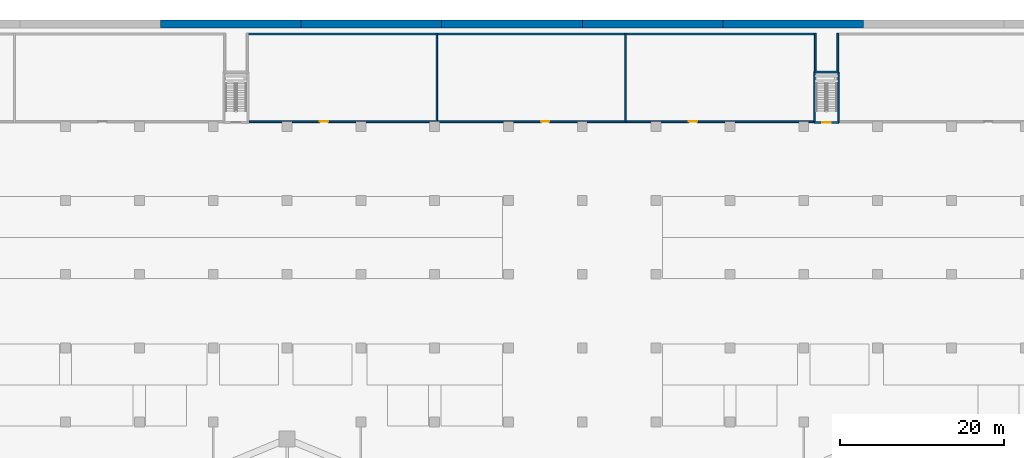
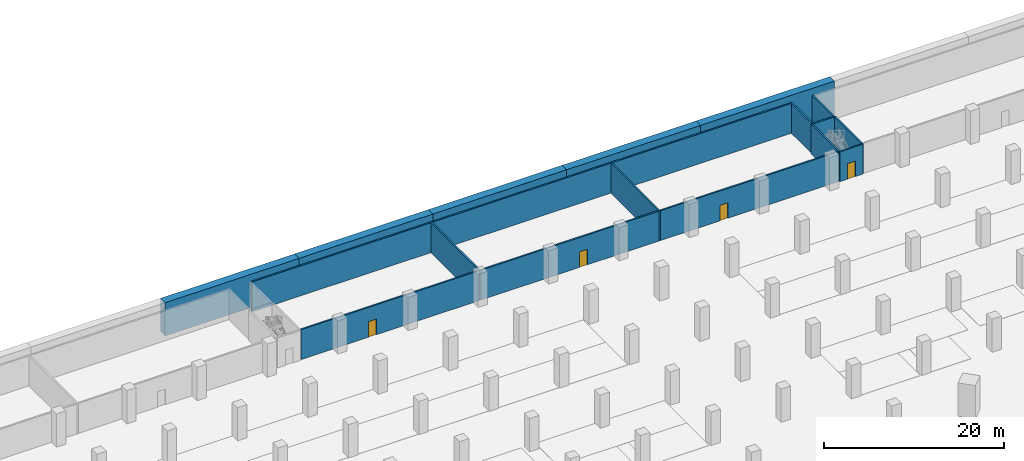
# One storey, part 17 of 34: 19 walls, 4 doors, 4 openings.
"""IFC4 building model written with IfcOpenShell, lengths in metres."""

from ifc_helpers import new_model, si_unit, direction, frame, frame_2d, origin, place, context, subcontext, project, spatial, rectangle, extrude, material, layer, layer_set, type_object, element, fill, save


model = new_model("IFC4")

# Units and contexts
model_context = context("Model", 3, precision=1e-05, world=origin(), true_north=direction((0.0, 1.0)))
body_context = subcontext(model_context, "Body", "Model", "MODEL_VIEW")
ifc_project = project(units=[si_unit("LENGTHUNIT", "METRE"), si_unit("AREAUNIT", "SQUARE_METRE"), si_unit("VOLUMEUNIT", "CUBIC_METRE"), si_unit("PLANEANGLEUNIT", "RADIAN"), si_unit("MASSUNIT", "GRAM", prefix="KILO")], contexts=[model_context])

# Site, building, storey
site_placement = place(None, origin())
site = spatial("IfcSite", under=ifc_project, at=site_placement, CompositionType="ELEMENT")
building_placement = place(site_placement, origin())
building = spatial("IfcBuilding", under=site, at=building_placement, Name="Ogive Gate Towers", CompositionType="ELEMENT")
storey_placement = place(building_placement, frame((0.0, 0.0, -4.5)))
storey = spatial("IfcBuildingStorey", under=building, at=storey_placement, Name="B1", CompositionType="ELEMENT", Elevation=-4.5)

# Wall, opening, door
ifc_material_1 = material(Name="Reinforced concrete C32/40", Category="concrete")
ifc_layer_1 = layer(ifc_material_1, 0.199951171875)
ifc_layer_set_1 = layer_set([ifc_layer_1], Name="Car park stair shaft wall 200")
wall_type_1 = type_object("IfcWallType", Name="Car park stair shaft wall 200", PredefinedType="SOLIDWALL", material=ifc_layer_set_1)
wall_1_placement = place(storey_placement, frame((31.25, 63.5, 0.0), z_axis=(0.0, 0.0, 1.0), x_axis=(-1.0, 0.0, 0.0)))
wall_1 = element("IfcWall", 1, at=wall_1_placement, inside=storey, type_object=wall_type_1, Name="CS3 stair shaft wall B1 1", PredefinedType="SOLIDWALL", context=body_context, shape_type="SweptSolid", body=[
    extrude(rectangle(XDim=2.949951171875, YDim=0.199951171875, at=frame_2d((1.47509765625, 0.0))), origin(), (0.0, 0.0, 1.0), 4.050048828125),
])
opening_1_placement = place(wall_1_placement, frame((0.97509765625, 0.0, 0.0)))
opening_1 = element("IfcOpeningElement", 2, at=opening_1_placement, cuts=wall_1, Name="Opening CPD33-B1", PredefinedType="OPENING", context=body_context, shape_type="SweptSolid", body=[
    extrude(rectangle(XDim=1.0, YDim=2.10009765625, at=frame_2d((0.5, 1.050048828125))), frame((0.0, 0.10986328125, 0.0), z_axis=(0.0, -1.0, 0.0), x_axis=(1.0, 0.0, 0.0)), (0.0, 0.0, 1.0), 0.219970703125),
])
ifc_material_2 = material(Name="Painted steel door", Category="steel")
door_type_1 = type_object("IfcDoorType", Name="Stair house door 1000 x 2100", OperationType="SINGLE_SWING_LEFT", PredefinedType="DOOR", material=ifc_material_2)
door_1_placement = place(opening_1_placement, origin())
door_1 = element("IfcDoor", 3, at=door_1_placement, inside=storey, type_object=door_type_1, Name="Door CS3 stair B1", OperationType="SINGLE_SWING_LEFT", OverallHeight=2.10009765625, OverallWidth=1.0, PredefinedType="DOOR", context=body_context, shape_type="SweptSolid", body=[
    extrude(rectangle(XDim=1.0, YDim=2.10009765625, at=frame_2d((0.5, 1.050048828125))), frame((0.0, 0.02490234375, 0.0), z_axis=(0.0, -1.0, 0.0), x_axis=(1.0, 0.0, 0.0)), (0.0, 0.0, 1.0), 0.050048828125),
])
fill(opening_1, door_1)

# Walls
wall_2_placement = place(storey_placement, frame((28.300048828125, 63.5, 0.0), z_axis=(0.0, 0.0, 1.0), x_axis=(0.0, 1.0, 0.0)))
element("IfcWall", 4, at=wall_2_placement, inside=storey, type_object=wall_type_1, Name="CS3 stair shaft wall B1 2", PredefinedType="SOLIDWALL", context=body_context, shape_type="SweptSolid", body=[
    extrude(rectangle(XDim=6.159912109375, YDim=0.199951171875, at=frame_2d((3.080078125, 0.0))), origin(), (0.0, 0.0, 1.0), 4.050048828125),
])
wall_3_placement = place(storey_placement, frame((28.300048828125, 69.659912109375, 0.0), z_axis=(0.0, 0.0, 1.0), x_axis=(1.0, 0.0, 0.0)))
element("IfcWall", 5, at=wall_3_placement, inside=storey, type_object=wall_type_1, Name="CS3 stair shaft wall B1 3", PredefinedType="SOLIDWALL", context=body_context, shape_type="SweptSolid", body=[
    extrude(rectangle(XDim=2.949951171875, YDim=0.199951171875, at=frame_2d((1.47509765625, 0.0))), origin(), (0.0, 0.0, 1.0), 4.050048828125),
])
wall_4_placement = place(storey_placement, frame((31.25, 69.659912109375, 0.0), z_axis=(0.0, 0.0, 1.0), x_axis=(0.0, -1.0, 0.0)))
element("IfcWall", 6, at=wall_4_placement, inside=storey, type_object=wall_type_1, Name="CS3 stair shaft wall B1 4", PredefinedType="SOLIDWALL", context=body_context, shape_type="SweptSolid", body=[
    extrude(rectangle(XDim=6.159912109375, YDim=0.199951171875, at=frame_2d((3.080078125, 0.0))), origin(), (0.0, 0.0, 1.0), 4.050048828125),
])
ifc_material_3 = material(Name="Blockwork", Category="masonry")
ifc_layer_2 = layer(ifc_material_3, 0.199951171875)
ifc_layer_set_2 = layer_set([ifc_layer_2], Name="Plant room wall 200")
wall_type_2 = type_object("IfcWallType", Name="Plant room wall 200", PredefinedType="PARTITIONING", material=ifc_layer_set_2)
for number, where, z_axis, x_axis, name in (
    (7, (-17.73291015625, 63.5, 0.0), (0.0, 0.0, 1.0), (0.0, 1.0, 0.0), "Plant room wall B1-011"),
    (8, (5.282958984375, 63.5, 0.0), (0.0, 0.0, 1.0), (0.0, 1.0, 0.0), "Plant room wall B1-012"),
):
    element("IfcWall", number, at=place(storey_placement, frame(where, z_axis=z_axis, x_axis=x_axis)), inside=storey, type_object=wall_type_2, Name=name, PredefinedType="PARTITIONING", context=body_context, shape_type="SweptSolid", body=[
        extrude(rectangle(XDim=10.89990234375, YDim=0.199951171875, at=frame_2d((5.449951171875, 0.0))), origin(), (0.0, 0.0, 1.0), 4.050048828125),
    ])
for number, where, z_axis, x_axis, name in (
    (9, (28.39990234375, 69.780029296875, 0.0), (0.0, 0.0, 1.0), (0.0, 1.0, 0.0), "Plant room wall B1-013"),
    (10, (31.14990234375, 69.780029296875, 0.0), (0.0, 0.0, 1.0), (0.0, 1.0, 0.0), "Plant room wall B1-014"),
):
    element("IfcWall", number, at=place(storey_placement, frame(where, z_axis=z_axis, x_axis=x_axis)), inside=storey, type_object=wall_type_2, Name=name, PredefinedType="PARTITIONING", context=body_context, shape_type="SweptSolid", body=[
        extrude(rectangle(XDim=4.619873046875, YDim=0.199951171875, at=frame_2d((2.31005859375, 0.0))), origin(), (0.0, 0.0, 1.0), 4.050048828125),
    ])

# Wall, opening, door
wall_5_placement = place(storey_placement, frame((-40.6298828125, 63.60009765625, 0.0), z_axis=(0.0, 0.0, 1.0), x_axis=(1.0, 0.0, 0.0)))
wall_5 = element("IfcWall", 11, at=wall_5_placement, inside=storey, type_object=wall_type_2, Name="Plant room wall B1-034", PredefinedType="PARTITIONING", context=body_context, shape_type="SweptSolid", body=[
    extrude(rectangle(XDim=22.796875, YDim=0.199951171875, at=frame_2d((11.3984375, 0.0))), origin(), (0.0, 0.0, 1.0), 4.050048828125),
])
opening_2_placement = place(wall_5_placement, frame((8.6298828125, 0.0, 0.0)))
opening_2 = element("IfcOpeningElement", 12, at=opening_2_placement, cuts=wall_5, Name="Opening CPD104", PredefinedType="OPENING", context=body_context, shape_type="SweptSolid", body=[
    extrude(rectangle(XDim=1.0, YDim=2.10009765625, at=frame_2d((0.5, 1.050048828125))), frame((0.0, 0.10986328125, 0.0), z_axis=(0.0, -1.0, 0.0), x_axis=(1.0, 0.0, 0.0)), (0.0, 0.0, 1.0), 0.219970703125),
])
door_type_2 = type_object("IfcDoorType", Name="Fire door 1000 x 2100", OperationType="SINGLE_SWING_LEFT", PredefinedType="DOOR", material=ifc_material_2)
door_2_placement = place(opening_2_placement, origin())
door_2 = element("IfcDoor", 13, at=door_2_placement, inside=storey, type_object=door_type_2, Name="Door CPD104", OperationType="SINGLE_SWING_RIGHT", OverallHeight=2.10009765625, OverallWidth=1.0, PredefinedType="DOOR", context=body_context, shape_type="SweptSolid", body=[
    extrude(rectangle(XDim=1.0, YDim=2.10009765625, at=frame_2d((0.5, 1.050048828125))), frame((0.0, 0.02490234375, 0.0), z_axis=(0.0, -1.0, 0.0), x_axis=(1.0, 0.0, 0.0)), (0.0, 0.0, 1.0), 0.050048828125),
])
fill(opening_2, door_2)

wall_6_placement = place(storey_placement, frame((-17.633056640625, 63.60009765625, 0.0), z_axis=(0.0, 0.0, 1.0), x_axis=(1.0, 0.0, 0.0)))
wall_6 = element("IfcWall", 14, at=wall_6_placement, inside=storey, type_object=wall_type_2, Name="Plant room wall B1-035", PredefinedType="PARTITIONING", context=body_context, shape_type="SweptSolid", body=[
    extrude(rectangle(XDim=22.816162109375, YDim=0.199951171875, at=frame_2d((11.408203125, 0.0))), origin(), (0.0, 0.0, 1.0), 4.050048828125),
])
opening_3_placement = place(wall_6_placement, frame((12.633056640625, 0.0, 0.0)))
opening_3 = element("IfcOpeningElement", 15, at=opening_3_placement, cuts=wall_6, Name="Opening CPD105", PredefinedType="OPENING", context=body_context, shape_type="SweptSolid", body=[
    extrude(rectangle(XDim=1.0, YDim=2.10009765625, at=frame_2d((0.5, 1.050048828125))), frame((0.0, 0.10986328125, 0.0), z_axis=(0.0, -1.0, 0.0), x_axis=(1.0, 0.0, 0.0)), (0.0, 0.0, 1.0), 0.219970703125),
])
door_3_placement = place(opening_3_placement, origin())
door_3 = element("IfcDoor", 16, at=door_3_placement, inside=storey, type_object=door_type_2, Name="Door CPD105", OperationType="SINGLE_SWING_LEFT", OverallHeight=2.10009765625, OverallWidth=1.0, PredefinedType="DOOR", context=body_context, shape_type="SweptSolid", body=[
    extrude(rectangle(XDim=1.0, YDim=2.10009765625, at=frame_2d((0.5, 1.050048828125))), frame((0.0, 0.02490234375, 0.0), z_axis=(0.0, -1.0, 0.0), x_axis=(1.0, 0.0, 0.0)), (0.0, 0.0, 1.0), 0.050048828125),
])
fill(opening_3, door_3)

wall_7_placement = place(storey_placement, frame((5.383056640625, 63.60009765625, 0.0), z_axis=(0.0, 0.0, 1.0), x_axis=(1.0, 0.0, 0.0)))
wall_7 = element("IfcWall", 17, at=wall_7_placement, inside=storey, type_object=wall_type_2, Name="Plant room wall B1-036", PredefinedType="PARTITIONING", context=body_context, shape_type="SweptSolid", body=[
    extrude(rectangle(XDim=22.796875, YDim=0.199951171875, at=frame_2d((11.3984375, 0.0))), origin(), (0.0, 0.0, 1.0), 4.050048828125),
])
opening_4_placement = place(wall_7_placement, frame((7.616943359375, 0.0, 0.0)))
opening_4 = element("IfcOpeningElement", 18, at=opening_4_placement, cuts=wall_7, Name="Opening CPD106", PredefinedType="OPENING", context=body_context, shape_type="SweptSolid", body=[
    extrude(rectangle(XDim=1.0, YDim=2.10009765625, at=frame_2d((0.5, 1.050048828125))), frame((0.0, 0.10986328125, 0.0), z_axis=(0.0, -1.0, 0.0), x_axis=(1.0, 0.0, 0.0)), (0.0, 0.0, 1.0), 0.219970703125),
])
door_4_placement = place(opening_4_placement, origin())
door_4 = element("IfcDoor", 19, at=door_4_placement, inside=storey, type_object=door_type_2, Name="Door CPD106", OperationType="SINGLE_SWING_RIGHT", OverallHeight=2.10009765625, OverallWidth=1.0, PredefinedType="DOOR", context=body_context, shape_type="SweptSolid", body=[
    extrude(rectangle(XDim=1.0, YDim=2.10009765625, at=frame_2d((0.5, 1.050048828125))), frame((0.0, 0.02490234375, 0.0), z_axis=(0.0, -1.0, 0.0), x_axis=(1.0, 0.0, 0.0)), (0.0, 0.0, 1.0), 0.050048828125),
])
fill(opening_4, door_4)

# Walls
wall_8_placement = place(storey_placement, frame((-40.75, 74.300048828125, 0.0), z_axis=(0.0, 0.0, 1.0), x_axis=(1.0, 0.0, 0.0)))
element("IfcWall", 20, at=wall_8_placement, inside=storey, type_object=wall_type_2, Name="Plant room wall B1-043", PredefinedType="PARTITIONING", context=body_context, shape_type="SweptSolid", body=[
    extrude(rectangle(XDim=22.9169921875, YDim=0.199951171875, at=frame_2d((11.45849609375, 0.0))), origin(), (0.0, 0.0, 1.0), 4.050048828125),
])
wall_9_placement = place(storey_placement, frame((-17.633056640625, 74.300048828125, 0.0), z_axis=(0.0, 0.0, 1.0), x_axis=(1.0, 0.0, 0.0)))
element("IfcWall", 21, at=wall_9_placement, inside=storey, type_object=wall_type_2, Name="Plant room wall B1-044", PredefinedType="PARTITIONING", context=body_context, shape_type="SweptSolid", body=[
    extrude(rectangle(XDim=22.816162109375, YDim=0.199951171875, at=frame_2d((11.408203125, 0.0))), origin(), (0.0, 0.0, 1.0), 4.050048828125),
])
wall_10_placement = place(storey_placement, frame((5.383056640625, 74.300048828125, 0.0), z_axis=(0.0, 0.0, 1.0), x_axis=(1.0, 0.0, 0.0)))
element("IfcWall", 22, at=wall_10_placement, inside=storey, type_object=wall_type_2, Name="Plant room wall B1-045", PredefinedType="PARTITIONING", context=body_context, shape_type="SweptSolid", body=[
    extrude(rectangle(XDim=22.9169921875, YDim=0.199951171875, at=frame_2d((11.45849609375, 0.0))), origin(), (0.0, 0.0, 1.0), 4.050048828125),
])
ifc_material_4 = material(Name="Concrete C40/50", Category="concrete")
ifc_layer_3 = layer(ifc_material_4, 1.0)
ifc_layer_set_3 = layer_set([ifc_layer_3], Name="Retaining wall 1000")
wall_type_3 = type_object("IfcWallType", Name="Retaining wall 1000", PredefinedType="SOLIDWALL", material=ifc_layer_set_3)
wall_11_placement = place(storey_placement, frame((-51.41796875, 75.5, 0.0), z_axis=(0.0, 0.0, 1.0), x_axis=(1.0, 0.0, 0.0)))
element("IfcWall", 23, at=wall_11_placement, inside=storey, type_object=wall_type_3, Name="BS/B1/SWL044", PredefinedType="SOLIDWALL", context=body_context, shape_type="SweptSolid", body=[
    extrude(rectangle(XDim=17.13916015625, YDim=1.0, at=frame_2d((8.569580078125, 0.0))), origin(), (0.0, 0.0, 1.0), 4.5),
])
for number, where, z_axis, x_axis, name in (
    (24, (-34.27880859375, 75.5, 0.0), (0.0, 0.0, 1.0), (1.0, 0.0, 0.0), "BS/B1/SWL045"),
    (25, (-17.139404296875, 75.5, 0.0), (0.0, 0.0, 1.0), (1.0, 0.0, 0.0), "BS/B1/SWL046"),
    (26, (0.0, 75.5, 0.0), (0.0, 0.0, 1.0), (1.0, 0.0, 0.0), "BS/B1/SWL047"),
    (27, (17.139404296875, 75.5, 0.0), (0.0, 0.0, 1.0), (1.0, 0.0, 0.0), "BS/B1/SWL048"),
):
    element("IfcWall", number, at=place(storey_placement, frame(where, z_axis=z_axis, x_axis=x_axis)), inside=storey, type_object=wall_type_3, Name=name, PredefinedType="SOLIDWALL", context=body_context, shape_type="SweptSolid", body=[
        extrude(rectangle(XDim=17.139404296875, YDim=1.0, at=frame_2d((8.56982421875, 0.0))), origin(), (0.0, 0.0, 1.0), 4.5),
    ])

save(model, "model.ifc")
